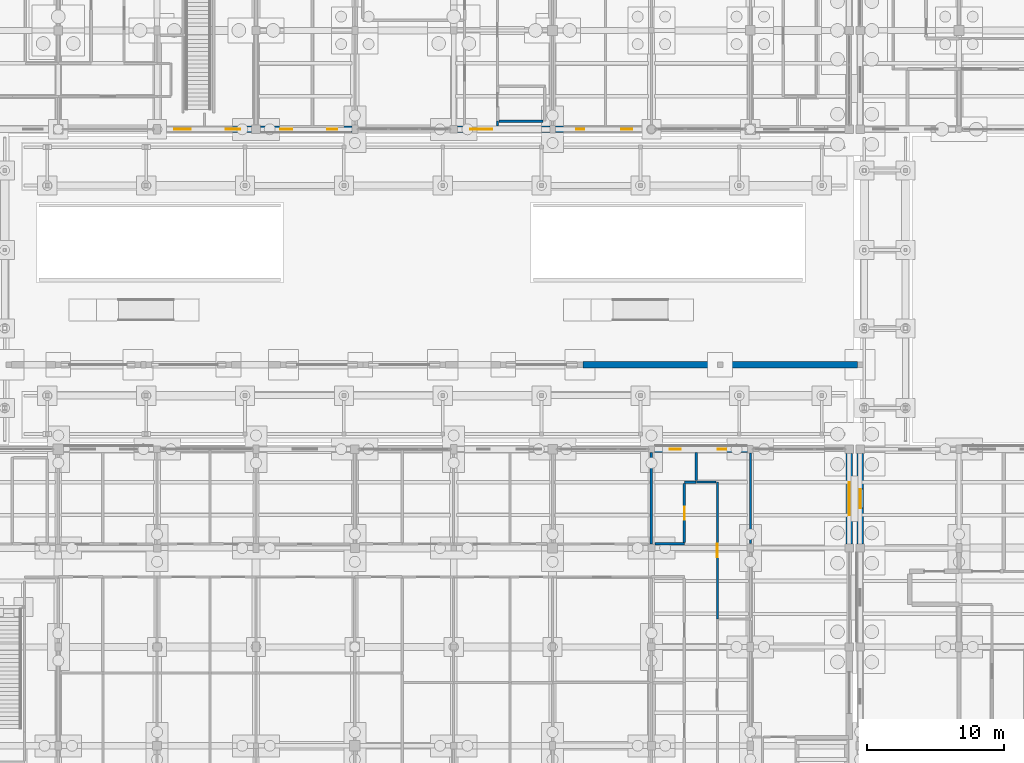
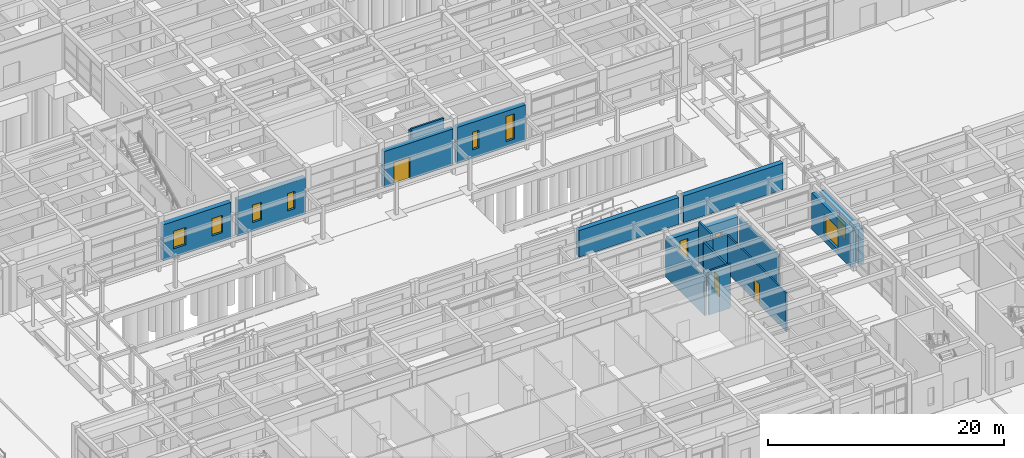
# One storey, part 103 of 143: 19 walls, 10 windows, 3 doors, 13 openings.
"""IFC4 building model written with IfcOpenShell, lengths in metres."""

from ifc_helpers import new_model, si_unit, direction, frame, frame_2d, origin, place, context, subcontext, project, spatial, rectangle, extrude, material, layer, layer_set, type_object, element, fill, save


model = new_model("IFC4")

# Units and contexts
model_context = context("Model", 3, precision=1e-05, world=origin(), true_north=direction((0.0, 1.0)))
body_context = subcontext(model_context, "Body", "Model", "MODEL_VIEW")
ifc_project = project(units=[si_unit("LENGTHUNIT", "METRE"), si_unit("AREAUNIT", "SQUARE_METRE"), si_unit("VOLUMEUNIT", "CUBIC_METRE"), si_unit("PLANEANGLEUNIT", "RADIAN"), si_unit("MASSUNIT", "GRAM", prefix="KILO")], contexts=[model_context])

# Site, building, storey
site_placement = place(None, origin())
site = spatial("IfcSite", under=ifc_project, at=site_placement, CompositionType="ELEMENT")
building_placement = place(site_placement, origin())
building = spatial("IfcBuilding", under=site, at=building_placement, Name="Steenspoor Specialist Clinic", CompositionType="ELEMENT")
storey_placement = place(building_placement, origin())
storey = spatial("IfcBuildingStorey", under=building, at=storey_placement, Name="L00", CompositionType="ELEMENT", Elevation=0.0)

# Wall, openings, windows
ifc_material_1 = material(Name="Volcanic basalt ashlar masonry", Category="masonry")
ifc_layer_1 = layer(ifc_material_1, 0.47998046875)
ifc_layer_set_1 = layer_set([ifc_layer_1], Name="Volcanic basalt ashlar masonry")
wall_type_1 = type_object("IfcWallType", Name="W-BASALT-480", PredefinedType="SOLIDWALL", material=ifc_layer_set_1)
wall_1_placement = place(storey_placement, frame((103.02490234375, 41.85009765625, 0.0), z_axis=(0.0, 0.0, 1.0), x_axis=(1.0, 0.0, 0.0)))
wall_1 = element("IfcWall", 1, at=wall_1_placement, inside=storey, type_object=wall_type_1, Name="Exterior Brick Wall EW-V1-L00-0015", PredefinedType="SOLIDWALL", context=body_context, shape_type="SweptSolid", body=[
    extrude(rectangle(XDim=6.775146484375, YDim=0.47998046875, at=frame_2d((3.3876953125, 0.0))), origin(), (0.0, 0.0, 1.0), 3.72998046875),
])
opening_1_placement = place(wall_1_placement, frame((1.1025390625, 0.0, 0.60009765625)))
opening_1 = element("IfcOpeningElement", 2, at=opening_1_placement, cuts=wall_1, Name="Opening WN-24", PredefinedType="OPENING", context=body_context, shape_type="SweptSolid", body=[
    extrude(rectangle(XDim=0.800048828125, YDim=2.60009765625, at=frame_2d((0.39990234375, 1.300048828125))), frame((0.0, 0.25, 0.0), z_axis=(0.0, -1.0, 0.0), x_axis=(1.0, 0.0, 0.0)), (0.0, 0.0, 1.0), 0.5),
])
opening_2_placement = place(wall_1_placement, frame((4.610107421875, 0.0, 0.89990234375)))
opening_2 = element("IfcOpeningElement", 3, at=opening_2_placement, cuts=wall_1, Name="Opening WN-01", PredefinedType="OPENING", context=body_context, shape_type="SweptSolid", body=[
    extrude(rectangle(XDim=0.60009765625, YDim=1.800048828125, at=frame_2d((0.300048828125, 0.89990234375))), frame((0.0, 0.25, 0.0), z_axis=(0.0, -1.0, 0.0), x_axis=(1.0, 0.0, 0.0)), (0.0, 0.0, 1.0), 0.5),
])
ifc_material_2 = material(Name="Thermally broken aluminium and low-emissivity glass", Category="aluminium")
window_type_1 = type_object("IfcWindowType", Name="WN-EXT-060X180", PartitioningType="SINGLE_PANEL", PredefinedType="WINDOW", material=ifc_material_2)
window_1_placement = place(opening_2_placement, origin())
window_1 = element("IfcWindow", 4, at=window_1_placement, inside=storey, type_object=window_type_1, Name="Window 0017", OverallHeight=1.800048828125, OverallWidth=0.60009765625, PartitioningType="SINGLE_PANEL", PredefinedType="WINDOW", context=body_context, shape_type="SweptSolid", body=[
    extrude(rectangle(XDim=0.60009765625, YDim=1.800048828125, at=frame_2d((0.300048828125, 0.89990234375))), frame((0.0, 0.030029296875, 0.0), z_axis=(0.0, -1.0, 0.0), x_axis=(1.0, 0.0, 0.0)), (0.0, 0.0, 1.0), 0.06005859375),
])
fill(opening_2, window_1)
window_type_2 = type_object("IfcWindowType", Name="WN-EXT-080X260", PartitioningType="SINGLE_PANEL", PredefinedType="WINDOW", material=ifc_material_2)
window_2_placement = place(opening_1_placement, origin())
window_2 = element("IfcWindow", 5, at=window_2_placement, inside=storey, type_object=window_type_2, Name="Window 0016", OverallHeight=2.60009765625, OverallWidth=0.800048828125, PartitioningType="SINGLE_PANEL", PredefinedType="WINDOW", context=body_context, shape_type="SweptSolid", body=[
    extrude(rectangle(XDim=0.800048828125, YDim=2.60009765625, at=frame_2d((0.39990234375, 1.300048828125))), frame((0.0, 0.030029296875, 0.0), z_axis=(0.0, -1.0, 0.0), x_axis=(1.0, 0.0, 0.0)), (0.0, 0.0, 1.0), 0.06005859375),
])
fill(opening_1, window_2)

# Wall, opening, window
wall_2_placement = place(storey_placement, frame((117.199951171875, 41.550048828125, 0.0), z_axis=(0.0, 0.0, 1.0), x_axis=(0.0, -1.0, 0.0)))
wall_2 = element("IfcWall", 6, at=wall_2_placement, inside=storey, type_object=wall_type_1, Name="Exterior Brick Wall EW-V1-L00-0016", PredefinedType="SOLIDWALL", context=body_context, shape_type="SweptSolid", body=[
    extrude(rectangle(XDim=6.60009765625, YDim=0.47998046875, at=frame_2d((3.300048828125, 0.0))), origin(), (0.0, 0.0, 1.0), 3.72998046875),
])
opening_3_placement = place(wall_2_placement, frame((2.10009765625, 0.0, 0.60009765625)))
opening_3 = element("IfcOpeningElement", 7, at=opening_3_placement, cuts=wall_2, Name="Opening WN-18", PredefinedType="OPENING", context=body_context, shape_type="SweptSolid", body=[
    extrude(rectangle(XDim=2.39990234375, YDim=2.199951171875, at=frame_2d((1.199951171875, 1.10009765625))), frame((0.0, 0.25, 0.0), z_axis=(0.0, -1.0, 0.0), x_axis=(1.0, 0.0, 0.0)), (0.0, 0.0, 1.0), 0.5),
])
window_type_3 = type_object("IfcWindowType", Name="WN-EXT-240X220", PartitioningType="SINGLE_PANEL", PredefinedType="WINDOW", material=ifc_material_2)
window_3_placement = place(opening_3_placement, origin())
window_3 = element("IfcWindow", 8, at=window_3_placement, inside=storey, type_object=window_type_3, Name="Window 0018", OverallHeight=2.199951171875, OverallWidth=2.39990234375, PartitioningType="SINGLE_PANEL", PredefinedType="WINDOW", context=body_context, shape_type="SweptSolid", body=[
    extrude(rectangle(XDim=2.39990234375, YDim=2.199951171875, at=frame_2d((1.199951171875, 1.10009765625))), frame((0.0, 0.030029296875, 0.0), z_axis=(0.0, -1.0, 0.0), x_axis=(1.0, 0.0, 0.0)), (0.0, 0.0, 1.0), 0.06005859375),
])
fill(opening_3, window_3)

wall_3_placement = place(storey_placement, frame((118.0, 34.949951171875, 0.0), z_axis=(0.0, 0.0, 1.0), x_axis=(0.0, 1.0, 0.0)))
wall_3 = element("IfcWall", 9, at=wall_3_placement, inside=storey, type_object=wall_type_1, Name="Exterior Brick Wall EW-V2-L00-0046", PredefinedType="SOLIDWALL", context=body_context, shape_type="SweptSolid", body=[
    extrude(rectangle(XDim=6.60009765625, YDim=0.47998046875, at=frame_2d((3.300048828125, 0.0))), origin(), (0.0, 0.0, 1.0), 3.639892578125),
])
opening_4_placement = place(wall_3_placement, frame((2.60009765625, 0.0, 0.89990234375)))
opening_4 = element("IfcOpeningElement", 10, at=opening_4_placement, cuts=wall_3, Name="Opening WN-06", PredefinedType="OPENING", context=body_context, shape_type="SweptSolid", body=[
    extrude(rectangle(XDim=1.39990234375, YDim=1.800048828125, at=frame_2d((0.699951171875, 0.89990234375))), frame((0.0, 0.25, 0.0), z_axis=(0.0, -1.0, 0.0), x_axis=(1.0, 0.0, 0.0)), (0.0, 0.0, 1.0), 0.5),
])
window_type_4 = type_object("IfcWindowType", Name="WN-EXT-140X180", PartitioningType="SINGLE_PANEL", PredefinedType="WINDOW", material=ifc_material_2)
window_4_placement = place(opening_4_placement, origin())
window_4 = element("IfcWindow", 11, at=window_4_placement, inside=storey, type_object=window_type_4, Name="Window 0054", OverallHeight=1.800048828125, OverallWidth=1.39990234375, PartitioningType="SINGLE_PANEL", PredefinedType="WINDOW", context=body_context, shape_type="SweptSolid", body=[
    extrude(rectangle(XDim=1.39990234375, YDim=1.800048828125, at=frame_2d((0.699951171875, 0.89990234375))), frame((0.0, 0.030029296875, 0.0), z_axis=(0.0, -1.0, 0.0), x_axis=(1.0, 0.0, 0.0)), (0.0, 0.0, 1.0), 0.06005859375),
])
fill(opening_4, window_4)

# Wall, openings, windows
wall_4_placement = place(storey_placement, frame((102.5, 65.14990234375, 0.0), z_axis=(0.0, 0.0, 1.0), x_axis=(-1.0, 0.0, 0.0)))
wall_4 = element("IfcWall", 12, at=wall_4_placement, inside=storey, type_object=wall_type_1, Name="Exterior Brick Wall EW-V4-L00-0079", PredefinedType="SOLIDWALL", context=body_context, shape_type="SweptSolid", body=[
    extrude(rectangle(XDim=6.699951171875, YDim=0.47998046875, at=frame_2d((3.35009765625, 0.0))), origin(), (0.0, 0.0, 1.0), 3.72998046875),
])
opening_5_placement = place(wall_4_placement, frame((1.114990234375, 0.0, 0.60009765625)))
opening_5 = element("IfcOpeningElement", 13, at=opening_5_placement, cuts=wall_4, Name="Opening WN-24", PredefinedType="OPENING", context=body_context, shape_type="SweptSolid", body=[
    extrude(rectangle(XDim=0.800048828125, YDim=2.60009765625, at=frame_2d((0.39990234375, 1.300048828125))), frame((0.0, 0.25, 0.0), z_axis=(0.0, -1.0, 0.0), x_axis=(1.0, 0.0, 0.0)), (0.0, 0.0, 1.0), 0.5),
])
opening_6_placement = place(wall_4_placement, frame((4.5849609375, 0.0, 0.89990234375)))
opening_6 = element("IfcOpeningElement", 14, at=opening_6_placement, cuts=wall_4, Name="Opening WN-01", PredefinedType="OPENING", context=body_context, shape_type="SweptSolid", body=[
    extrude(rectangle(XDim=0.60009765625, YDim=1.800048828125, at=frame_2d((0.300048828125, 0.89990234375))), frame((0.0, 0.25, 0.0), z_axis=(0.0, -1.0, 0.0), x_axis=(1.0, 0.0, 0.0)), (0.0, 0.0, 1.0), 0.5),
])
window_5_placement = place(opening_6_placement, origin())
window_5 = element("IfcWindow", 15, at=window_5_placement, inside=storey, type_object=window_type_1, Name="Window 0097", OverallHeight=1.800048828125, OverallWidth=0.60009765625, PartitioningType="SINGLE_PANEL", PredefinedType="WINDOW", context=body_context, shape_type="SweptSolid", body=[
    extrude(rectangle(XDim=0.60009765625, YDim=1.800048828125, at=frame_2d((0.300048828125, 0.89990234375))), frame((0.0, 0.030029296875, 0.0), z_axis=(0.0, -1.0, 0.0), x_axis=(1.0, 0.0, 0.0)), (0.0, 0.0, 1.0), 0.06005859375),
])
fill(opening_6, window_5)
window_6_placement = place(opening_5_placement, origin())
window_6 = element("IfcWindow", 16, at=window_6_placement, inside=storey, type_object=window_type_2, Name="Window 0096", OverallHeight=2.60009765625, OverallWidth=0.800048828125, PartitioningType="SINGLE_PANEL", PredefinedType="WINDOW", context=body_context, shape_type="SweptSolid", body=[
    extrude(rectangle(XDim=0.800048828125, YDim=2.60009765625, at=frame_2d((0.39990234375, 1.300048828125))), frame((0.0, 0.030029296875, 0.0), z_axis=(0.0, -1.0, 0.0), x_axis=(1.0, 0.0, 0.0)), (0.0, 0.0, 1.0), 0.06005859375),
])
fill(opening_5, window_6)

# Wall, opening, door
wall_5_placement = place(storey_placement, frame((95.39990234375, 65.14990234375, 0.0), z_axis=(0.0, 0.0, 1.0), x_axis=(-1.0, 0.0, 0.0)))
wall_5 = element("IfcWall", 17, at=wall_5_placement, inside=storey, type_object=wall_type_1, Name="Exterior Brick Wall EW-V4-L00-0080", PredefinedType="SOLIDWALL", context=body_context, shape_type="SweptSolid", body=[
    extrude(rectangle(XDim=6.724853515625, YDim=0.47998046875, at=frame_2d((3.3623046875, 0.0))), origin(), (0.0, 0.0, 1.0), 3.72998046875),
])
opening_7_placement = place(wall_5_placement, frame((4.199951171875, 0.0, 0.0)))
opening_7 = element("IfcOpeningElement", 18, at=opening_7_placement, cuts=wall_5, Name="Opening ED18", PredefinedType="OPENING", context=body_context, shape_type="SweptSolid", body=[
    extrude(rectangle(XDim=1.60009765625, YDim=2.300048828125, at=frame_2d((0.800048828125, 1.14990234375))), frame((0.0, 0.25, 0.0), z_axis=(0.0, -1.0, 0.0), x_axis=(1.0, 0.0, 0.0)), (0.0, 0.0, 1.0), 0.5),
])
ifc_material_3 = material(Name="Anodised aluminium and safety glass", Category="aluminium")
door_type_1 = type_object("IfcDoorType", Name="DT-EXIT-160X230", OperationType="NOTDEFINED", PredefinedType="DOOR", material=ifc_material_3)
door_1_placement = place(opening_7_placement, origin())
door_1 = element("IfcDoor", 19, at=door_1_placement, inside=storey, type_object=door_type_1, Name="Main Pedestrian Entrance Exit ED18", OperationType="DOUBLE_DOOR_SINGLE_SWING", OverallHeight=2.300048828125, OverallWidth=1.60009765625, PredefinedType="DOOR", context=body_context, shape_type="SweptSolid", body=[
    extrude(rectangle(XDim=1.60009765625, YDim=2.300048828125, at=frame_2d((0.800048828125, 1.14990234375))), frame((0.0, 0.02490234375, 0.0), z_axis=(0.0, -1.0, 0.0), x_axis=(1.0, 0.0, 0.0)), (0.0, 0.0, 1.0), 0.050048828125),
])
fill(opening_7, door_1)

# Wall, openings, windows
wall_6_placement = place(storey_placement, frame((80.97509765625, 65.14990234375, 0.0), z_axis=(0.0, 0.0, 1.0), x_axis=(-1.0, 0.0, 0.0)))
wall_6 = element("IfcWall", 20, at=wall_6_placement, inside=storey, type_object=wall_type_1, Name="Exterior Brick Wall EW-V4-L00-0081", PredefinedType="SOLIDWALL", context=body_context, shape_type="SweptSolid", body=[
    extrude(rectangle(XDim=6.650146484375, YDim=0.47998046875, at=frame_2d((3.3251953125, 0.0))), origin(), (0.0, 0.0, 1.0), 3.72998046875),
])
opening_8_placement = place(wall_6_placement, frame((1.052490234375, 0.0, 0.89990234375)))
opening_8 = element("IfcOpeningElement", 21, at=opening_8_placement, cuts=wall_6, Name="Opening WN-02", PredefinedType="OPENING", context=body_context, shape_type="SweptSolid", body=[
    extrude(rectangle(XDim=0.75, YDim=1.800048828125, at=frame_2d((0.375, 0.89990234375))), frame((0.0, 0.25, 0.0), z_axis=(0.0, -1.0, 0.0), x_axis=(1.0, 0.0, 0.0)), (0.0, 0.0, 1.0), 0.5),
])
opening_9_placement = place(wall_6_placement, frame((4.322509765625, 0.0, 0.89990234375)))
opening_9 = element("IfcOpeningElement", 22, at=opening_9_placement, cuts=wall_6, Name="Opening WN-03", PredefinedType="OPENING", context=body_context, shape_type="SweptSolid", body=[
    extrude(rectangle(XDim=0.89990234375, YDim=1.800048828125, at=frame_2d((0.449951171875, 0.89990234375))), frame((0.0, 0.25, 0.0), z_axis=(0.0, -1.0, 0.0), x_axis=(1.0, 0.0, 0.0)), (0.0, 0.0, 1.0), 0.5),
])
window_type_5 = type_object("IfcWindowType", Name="WN-EXT-075X180", PartitioningType="SINGLE_PANEL", PredefinedType="WINDOW", material=ifc_material_2)
window_7_placement = place(opening_8_placement, origin())
window_7 = element("IfcWindow", 23, at=window_7_placement, inside=storey, type_object=window_type_5, Name="Window 0098", OverallHeight=1.800048828125, OverallWidth=0.75, PartitioningType="SINGLE_PANEL", PredefinedType="WINDOW", context=body_context, shape_type="SweptSolid", body=[
    extrude(rectangle(XDim=0.75, YDim=1.800048828125, at=frame_2d((0.375, 0.89990234375))), frame((0.0, 0.030029296875, 0.0), z_axis=(0.0, -1.0, 0.0), x_axis=(1.0, 0.0, 0.0)), (0.0, 0.0, 1.0), 0.06005859375),
])
fill(opening_8, window_7)
window_type_6 = type_object("IfcWindowType", Name="WN-EXT-090X180", PartitioningType="SINGLE_PANEL", PredefinedType="WINDOW", material=ifc_material_2)
window_8_placement = place(opening_9_placement, origin())
window_8 = element("IfcWindow", 24, at=window_8_placement, inside=storey, type_object=window_type_6, Name="Window 0099", OverallHeight=1.800048828125, OverallWidth=0.89990234375, PartitioningType="SINGLE_PANEL", PredefinedType="WINDOW", context=body_context, shape_type="SweptSolid", body=[
    extrude(rectangle(XDim=0.89990234375, YDim=1.800048828125, at=frame_2d((0.449951171875, 0.89990234375))), frame((0.0, 0.030029296875, 0.0), z_axis=(0.0, -1.0, 0.0), x_axis=(1.0, 0.0, 0.0)), (0.0, 0.0, 1.0), 0.06005859375),
])
fill(opening_9, window_8)

wall_7_placement = place(storey_placement, frame((73.675048828125, 65.14990234375, 0.0), z_axis=(0.0, 0.0, 1.0), x_axis=(-1.0, 0.0, 0.0)))
wall_7 = element("IfcWall", 25, at=wall_7_placement, inside=storey, type_object=wall_type_1, Name="Exterior Brick Wall EW-V4-L00-0082", PredefinedType="SOLIDWALL", context=body_context, shape_type="SweptSolid", body=[
    extrude(rectangle(XDim=6.625, YDim=0.47998046875, at=frame_2d((3.3125, 0.0))), origin(), (0.0, 0.0, 1.0), 3.72998046875),
])
opening_10_placement = place(wall_7_placement, frame((0.840087890625, 0.0, 0.89990234375)))
opening_10 = element("IfcOpeningElement", 26, at=opening_10_placement, cuts=wall_7, Name="Opening WN-04", PredefinedType="OPENING", context=body_context, shape_type="SweptSolid", body=[
    extrude(rectangle(XDim=1.050048828125, YDim=1.800048828125, at=frame_2d((0.52490234375, 0.89990234375))), frame((0.0, 0.25, 0.0), z_axis=(0.0, -1.0, 0.0), x_axis=(1.0, 0.0, 0.0)), (0.0, 0.0, 1.0), 0.5),
])
opening_11_placement = place(wall_7_placement, frame((4.43505859375, 0.0, 0.89990234375)))
opening_11 = element("IfcOpeningElement", 27, at=opening_11_placement, cuts=wall_7, Name="Opening WN-05", PredefinedType="OPENING", context=body_context, shape_type="SweptSolid", body=[
    extrude(rectangle(XDim=1.199951171875, YDim=1.800048828125, at=frame_2d((0.60009765625, 0.89990234375))), frame((0.0, 0.25, 0.0), z_axis=(0.0, -1.0, 0.0), x_axis=(1.0, 0.0, 0.0)), (0.0, 0.0, 1.0), 0.5),
])
window_type_7 = type_object("IfcWindowType", Name="WN-EXT-105X180", PartitioningType="SINGLE_PANEL", PredefinedType="WINDOW", material=ifc_material_2)
window_9_placement = place(opening_10_placement, origin())
window_9 = element("IfcWindow", 28, at=window_9_placement, inside=storey, type_object=window_type_7, Name="Window 0100", OverallHeight=1.800048828125, OverallWidth=1.050048828125, PartitioningType="SINGLE_PANEL", PredefinedType="WINDOW", context=body_context, shape_type="SweptSolid", body=[
    extrude(rectangle(XDim=1.050048828125, YDim=1.800048828125, at=frame_2d((0.52490234375, 0.89990234375))), frame((0.0, 0.030029296875, 0.0), z_axis=(0.0, -1.0, 0.0), x_axis=(1.0, 0.0, 0.0)), (0.0, 0.0, 1.0), 0.06005859375),
])
fill(opening_10, window_9)
window_type_8 = type_object("IfcWindowType", Name="WN-EXT-120X180", PartitioningType="SINGLE_PANEL", PredefinedType="WINDOW", material=ifc_material_2)
window_10_placement = place(opening_11_placement, origin())
window_10 = element("IfcWindow", 29, at=window_10_placement, inside=storey, type_object=window_type_8, Name="Window 0101", OverallHeight=1.800048828125, OverallWidth=1.199951171875, PartitioningType="SINGLE_PANEL", PredefinedType="WINDOW", context=body_context, shape_type="SweptSolid", body=[
    extrude(rectangle(XDim=1.199951171875, YDim=1.800048828125, at=frame_2d((0.60009765625, 0.89990234375))), frame((0.0, 0.030029296875, 0.0), z_axis=(0.0, -1.0, 0.0), x_axis=(1.0, 0.0, 0.0)), (0.0, 0.0, 1.0), 0.06005859375),
])
fill(opening_11, window_10)

# Walls
for number, where, z_axis, x_axis, name in (
    (30, (97.81005859375, 48.0, 0.0), (0.0, 0.0, 1.0), (1.0, 0.0, 0.0), "Campus Courtyard Screen Wall YW-CT-06"),
    (31, (108.010009765625, 48.0, 0.0), (0.0, 0.0, 1.0), (1.0, 0.0, 0.0), "Campus Courtyard Screen Wall YW-CT-07"),
):
    element("IfcWall", number, at=place(storey_placement, frame(where, z_axis=z_axis, x_axis=x_axis)), inside=storey, type_object=wall_type_1, Name=name, PredefinedType="SOLIDWALL", context=body_context, shape_type="SweptSolid", body=[
        extrude(rectangle(XDim=9.780029296875, YDim=0.47998046875, at=frame_2d((4.89013671875, 0.0))), origin(), (0.0, 0.0, 1.0), 2.75),
    ])

# Wall, opening, door
ifc_material_4 = material(Name="Gypsum acoustic clinical partition", Category="gypsum")
ifc_layer_2 = layer(ifc_material_4, 0.14990234375)
ifc_layer_set_2 = layer_set([ifc_layer_2], Name="Gypsum acoustic clinical partition")
wall_type_2 = type_object("IfcWallType", Name="W-CLIN-150", PredefinedType="PARTITIONING", material=ifc_layer_set_2)
wall_8_placement = place(storey_placement, frame((107.60009765625, 29.4951171875, 0.0), z_axis=(0.0, 0.0, 1.0), x_axis=(0.0, 1.0, 0.0)))
wall_8 = element("IfcWall", 32, at=wall_8_placement, inside=storey, type_object=wall_type_2, Name="Interior Partition IW-V1-L00-0181", PredefinedType="PARTITIONING", context=body_context, shape_type="SweptSolid", body=[
    extrude(rectangle(XDim=9.954833984375, YDim=0.14990234375, at=frame_2d((4.9775390625, 0.0))), origin(), (0.0, 0.0, 1.0), 3.955078125),
])
opening_12_placement = place(wall_8_placement, frame((4.4775390625, 0.0, 0.0)))
opening_12 = element("IfcOpeningElement", 33, at=opening_12_placement, cuts=wall_8, Name="Opening D0035", PredefinedType="OPENING", context=body_context, shape_type="SweptSolid", body=[
    extrude(rectangle(XDim=1.0, YDim=2.14990234375, at=frame_2d((0.5, 1.074951171875))), frame((0.0, 0.0849609375, 0.0), z_axis=(0.0, -1.0, 0.0), x_axis=(1.0, 0.0, 0.0)), (0.0, 0.0, 1.0), 0.169921875),
])
ifc_material_5 = material(Name="Moisture-resistant HPL accessible WC door", Category="wood")
door_type_2 = type_object("IfcDoorType", Name="DT-AWC-100X215", OperationType="NOTDEFINED", PredefinedType="DOOR", material=ifc_material_5)
door_2_placement = place(opening_12_placement, origin())
door_2 = element("IfcDoor", 34, at=door_2_placement, inside=storey, type_object=door_type_2, Name="Clinical Door D0035", OperationType="SINGLE_SWING_RIGHT", OverallHeight=2.14990234375, OverallWidth=1.0, PredefinedType="DOOR", context=body_context, shape_type="SweptSolid", body=[
    extrude(rectangle(XDim=1.0, YDim=2.14990234375, at=frame_2d((0.5, 1.074951171875))), frame((0.0, 0.02490234375, 0.0), z_axis=(0.0, -1.0, 0.0), x_axis=(1.0, 0.0, 0.0)), (0.0, 0.0, 1.0), 0.050048828125),
])
fill(opening_12, door_2)

# Walls
wall_9_placement = place(storey_placement, frame((106.06494140625, 39.449951171875, 0.0), z_axis=(0.0, 0.0, 1.0), x_axis=(1.0, 0.0, 0.0)))
element("IfcWall", 35, at=wall_9_placement, inside=storey, type_object=wall_type_2, Name="Interior Partition IW-V1-L00-0182", PredefinedType="PARTITIONING", context=body_context, shape_type="SweptSolid", body=[
    extrude(rectangle(XDim=1.445068359375, YDim=0.14990234375, at=frame_2d((0.72265625, 0.0))), origin(), (0.0, 0.0, 1.0), 4.074951171875),
])
wall_10_placement = place(storey_placement, frame((91.60009765625, 65.405029296875, 0.0), z_axis=(0.0, 0.0, 1.0), x_axis=(0.0, 1.0, 0.0)))
element("IfcWall", 36, at=wall_10_placement, inside=storey, type_object=wall_type_2, Name="Interior Partition IW-V4-L00-0225", PredefinedType="PARTITIONING", context=body_context, shape_type="SweptSolid", body=[
    extrude(rectangle(XDim=0.330078125, YDim=0.14990234375, at=frame_2d((0.1650390625, 0.0))), origin(), (0.0, 0.0, 1.0), 4.550048828125),
])
wall_11_placement = place(storey_placement, frame((110.0, 34.965087890625, 0.0), z_axis=(0.0, 0.0, 1.0), x_axis=(0.0, 1.0, 0.0)))
element("IfcWall", 37, at=wall_11_placement, inside=storey, type_object=wall_type_2, Name="Interior Partition IW-V1-L00-0559", PredefinedType="PARTITIONING", context=body_context, shape_type="SweptSolid", body=[
    extrude(rectangle(XDim=6.594970703125, YDim=0.14990234375, at=frame_2d((3.29736328125, 0.0))), origin(), (0.0, 0.0, 1.0), 3.735107421875),
])
ifc_material_6 = material(Name="Moisture-resistant gypsum plumbing wall", Category="gypsum")
ifc_layer_3 = layer(ifc_material_6, 0.179931640625)
ifc_layer_set_3 = layer_set([ifc_layer_3], Name="Moisture-resistant gypsum plumbing wall")
wall_type_3 = type_object("IfcWallType", Name="W-PLUMB-180", PredefinedType="PLUMBINGWALL", material=ifc_layer_set_3)
wall_12_placement = place(storey_placement, frame((91.705078125, 65.75, 0.0), z_axis=(0.0, 0.0, 1.0), x_axis=(1.0, 0.0, 0.0)))
element("IfcWall", 38, at=wall_12_placement, inside=storey, type_object=wall_type_3, Name="Interior Partition IW-V4-L00-0038", PredefinedType="PLUMBINGWALL", context=body_context, shape_type="SweptSolid", body=[
    extrude(rectangle(XDim=3.2099609375, YDim=0.179931640625, at=frame_2d((1.60498046875, 0.0))), origin(), (0.0, 0.0, 1.0), 4.550048828125),
])
wall_13_placement = place(storey_placement, frame((103.06494140625, 34.949951171875, 0.0), z_axis=(0.0, 0.0, 1.0), x_axis=(1.0, 0.0, 0.0)))
element("IfcWall", 39, at=wall_13_placement, inside=storey, type_object=wall_type_3, Name="Interior Partition IW-V1-L00-0134", PredefinedType="PLUMBINGWALL", context=body_context, shape_type="SweptSolid", body=[
    extrude(rectangle(XDim=2.135009765625, YDim=0.179931640625, at=frame_2d((1.0673828125, 0.0))), origin(), (0.0, 0.0, 1.0), 4.550048828125),
])
wall_14_placement = place(storey_placement, frame((105.199951171875, 39.449951171875, 0.0), z_axis=(0.0, 0.0, 1.0), x_axis=(1.0, 0.0, 0.0)))
element("IfcWall", 40, at=wall_14_placement, inside=storey, type_object=wall_type_3, Name="Interior Partition IW-V1-L00-0135", PredefinedType="PLUMBINGWALL", context=body_context, shape_type="SweptSolid", body=[
    extrude(rectangle(XDim=0.85009765625, YDim=0.179931640625, at=frame_2d((0.425048828125, 0.0))), origin(), (0.0, 0.0, 1.0), 4.074951171875),
])

# Wall, opening, door
wall_15_placement = place(storey_placement, frame((105.199951171875, 35.054931640625, 0.0), z_axis=(0.0, 0.0, 1.0), x_axis=(0.0, 1.0, 0.0)))
wall_15 = element("IfcWall", 41, at=wall_15_placement, inside=storey, type_object=wall_type_3, Name="Interior Partition IW-V1-L00-0136", PredefinedType="PLUMBINGWALL", context=body_context, shape_type="SweptSolid", body=[
    extrude(rectangle(XDim=4.2900390625, YDim=0.179931640625, at=frame_2d((2.14501953125, 0.0))), origin(), (0.0, 0.0, 1.0), 4.114990234375),
])
opening_13_placement = place(wall_15_placement, frame((1.669921875, 0.0, 0.0)))
opening_13 = element("IfcOpeningElement", 42, at=opening_13_placement, cuts=wall_15, Name="Opening D0048", PredefinedType="OPENING", context=body_context, shape_type="SweptSolid", body=[
    extrude(rectangle(XDim=0.949951171875, YDim=2.10009765625, at=frame_2d((0.47509765625, 1.050048828125))), frame((0.0, 0.10009765625, 0.0), z_axis=(0.0, -1.0, 0.0), x_axis=(1.0, 0.0, 0.0)), (0.0, 0.0, 1.0), 0.199951171875),
])
ifc_material_7 = material(Name="Moisture-resistant HPL sanitary door", Category="wood")
door_type_3 = type_object("IfcDoorType", Name="DT-WC-095X210", OperationType="NOTDEFINED", PredefinedType="DOOR", material=ifc_material_7)
door_3_placement = place(opening_13_placement, origin())
door_3 = element("IfcDoor", 43, at=door_3_placement, inside=storey, type_object=door_type_3, Name="Clinical Door D0048", OperationType="SINGLE_SWING_LEFT", OverallHeight=2.10009765625, OverallWidth=0.949951171875, PredefinedType="DOOR", context=body_context, shape_type="SweptSolid", body=[
    extrude(rectangle(XDim=0.949951171875, YDim=2.10009765625, at=frame_2d((0.47509765625, 1.050048828125))), frame((0.0, 0.02490234375, 0.0), z_axis=(0.0, -1.0, 0.0), x_axis=(1.0, 0.0, 0.0)), (0.0, 0.0, 1.0), 0.050048828125),
])
fill(opening_13, door_3)

# Walls
wall_16_placement = place(storey_placement, frame((106.050048828125, 39.554931640625, 0.0), z_axis=(0.0, 0.0, 1.0), x_axis=(0.0, 1.0, 0.0)))
element("IfcWall", 44, at=wall_16_placement, inside=storey, type_object=wall_type_3, Name="Interior Partition IW-V1-L00-0507", PredefinedType="PLUMBINGWALL", context=body_context, shape_type="SweptSolid", body=[
    extrude(rectangle(XDim=2.0400390625, YDim=0.179931640625, at=frame_2d((1.02001953125, 0.0))), origin(), (0.0, 0.0, 1.0), 4.550048828125),
])
wall_17_placement = place(storey_placement, frame((102.800048828125, 34.949951171875, 0.0), z_axis=(0.0, 0.0, 1.0), x_axis=(0.0, 1.0, 0.0)))
element("IfcWall", 45, at=wall_17_placement, inside=storey, type_object=wall_type_3, Name="Interior Partition IW-V1-L00-0516", PredefinedType="PLUMBINGWALL", context=body_context, shape_type="SweptSolid", body=[
    extrude(rectangle(XDim=6.66015625, YDim=0.179931640625, at=frame_2d((3.330078125, 0.0))), origin(), (0.0, 0.0, 1.0), 3.955078125),
])

save(model, "model.ifc")
